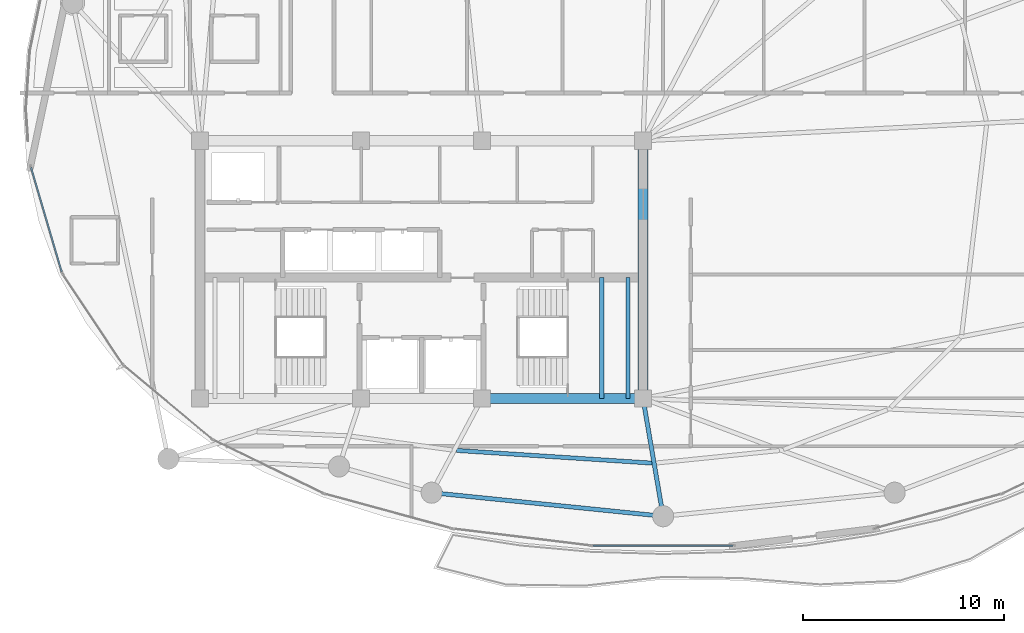
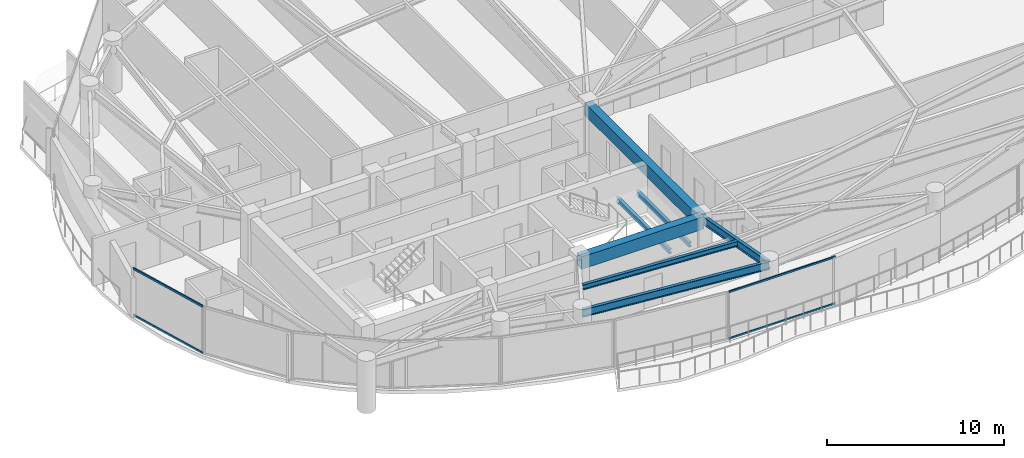
# One storey, part 6 of 29: 7 beams, 4 members, 2 elements without a shape of their own.
"""IFC4 building model written with IfcOpenShell, lengths in metres."""

from ifc_helpers import new_model, si_unit, direction, frame, origin, origin_2d, place, context, subcontext, project, spatial, rectangle, hollow_rectangle, i_section, extrude, material, layer, layer_set, material_profile, profile_set, type_object, element, aggregate, save


model = new_model("IFC4")

# Units and contexts
model_context = context("Model", 3, precision=1e-05, world=origin(), true_north=direction((0.0, 1.0)))
body_context = subcontext(model_context, "Body", "Model", "MODEL_VIEW")
ifc_project = project(units=[si_unit("LENGTHUNIT", "METRE"), si_unit("AREAUNIT", "SQUARE_METRE"), si_unit("VOLUMEUNIT", "CUBIC_METRE"), si_unit("PLANEANGLEUNIT", "RADIAN"), si_unit("MASSUNIT", "GRAM", prefix="KILO")], contexts=[model_context])

# Site, building, storey
site_placement = place(None, origin())
site = spatial("IfcSite", under=ifc_project, at=site_placement, CompositionType="ELEMENT")
building_placement = place(site_placement, origin())
building = spatial("IfcBuilding", under=site, at=building_placement, Name="Kazevale Care Tower and Concert Hall", CompositionType="ELEMENT")
storey_placement = place(building_placement, frame((0.0, 0.0, 249.60009765625)))
storey = spatial("IfcBuildingStorey", under=building, at=storey_placement, Name="L66", CompositionType="ELEMENT", Elevation=249.60009765625)

# Curtain wall, members
ifc_material_1 = material(Name="Aluminium 6063-T6 and Low-E Glass", Category="aluminium")
ifc_layer_1 = layer(ifc_material_1, 0.179931640625)
ifc_layer_set_1 = layer_set([ifc_layer_1], Name="Aluminium 6063-T6 and Low-E Glass")
curtain_wall_type_1 = type_object("IfcCurtainWallType", Name="Waist & Upper Residential Curtain Wall CW-4", PredefinedType="NOTDEFINED", material=ifc_layer_set_1)
curtain_wall_1_placement = place(storey_placement, origin())
curtain_wall_1 = element("IfcCurtainWall", 1, at=curtain_wall_1_placement, inside=storey, type_object=curtain_wall_type_1, Name="cw:L66:f12", PredefinedType="NOTDEFINED")
ifc_material_2 = material(Name="Aluminium 6063-T6", Category="aluminium")
ifc_material_profile_1 = material_profile(ifc_material_2, hollow_rectangle(XDim=0.080078125, YDim=0.139892578125, WallThickness=0.00390625, at=origin_2d()), Name="ALU80x140x4")
ifc_profile_set_1 = profile_set([ifc_material_profile_1], Name="Aluminium 6063-T6")
member_type_1 = type_object("IfcMemberType", Name="CW-4 Transom ALU80x140x4", PredefinedType="USERDEFINED", material=ifc_profile_set_1)
member_1_placement = place(storey_placement, frame((15.12548828125, 29.897705078125, 0.039794921875), z_axis=(-0.282102705943, 0.95938421047, 0.0), x_axis=(-0.95938421047, -0.282102705943, 0.0)))
member_1 = element("IfcMember", 2, at=member_1_placement, type_object=member_type_1, Name="CW-4 transom 1.1", ObjectType="TRANSOM", PredefinedType="USERDEFINED", context=body_context, shape_type="SweptSolid", body=[
    extrude(hollow_rectangle(XDim=0.080078125, YDim=0.139892578125, WallThickness=0.00390625, at=origin_2d()), origin(), (0.0, 0.0, 1.0), 5.402099609375),
])
member_2_placement = place(storey_placement, frame((15.12548828125, 29.897705078125, 3.239990234375), z_axis=(-0.282102705943, 0.95938421047, 0.0), x_axis=(-0.95938421047, -0.282102705943, 0.0)))
member_2 = element("IfcMember", 3, at=member_2_placement, type_object=member_type_1, Name="CW-4 transom 1.2", ObjectType="TRANSOM", PredefinedType="USERDEFINED", context=body_context, shape_type="SweptSolid", body=[
    extrude(hollow_rectangle(XDim=0.080078125, YDim=0.139892578125, WallThickness=0.00390625, at=origin_2d()), origin(), (0.0, 0.0, 1.0), 5.402099609375),
])
aggregate(curtain_wall_1, [member_1, member_2])

ifc_layer_2 = layer(ifc_material_1, 0.179931640625)
ifc_layer_set_2 = layer_set([ifc_layer_2], Name="Aluminium 6063-T6 and Low-E Glass")
curtain_wall_type_2 = type_object("IfcCurtainWallType", Name="Sheltered Concave Balcony Curtain Wall CW-5", PredefinedType="NOTDEFINED", material=ifc_layer_set_2)
curtain_wall_2_placement = place(storey_placement, origin())
curtain_wall_2 = element("IfcCurtainWall", 4, at=curtain_wall_2_placement, inside=storey, type_object=curtain_wall_type_2, Name="cw:L66:f06", PredefinedType="NOTDEFINED")
ifc_material_profile_2 = material_profile(ifc_material_2, hollow_rectangle(XDim=0.074951171875, YDim=0.1201171875, WallThickness=0.00390625, at=origin_2d()), Name="ALU75x120x4")
ifc_profile_set_2 = profile_set([ifc_material_profile_2], Name="Aluminium 6063-T6")
member_type_2 = type_object("IfcMemberType", Name="CW-5 Transom ALU75x120x4", PredefinedType="USERDEFINED", material=ifc_profile_set_2)
member_3_placement = place(storey_placement, frame((48.47509765625, 16.284912109375, 0.037353515625), z_axis=(-1.0, 0.0, 0.0), x_axis=(0.0, -1.0, 0.0)))
member_3 = element("IfcMember", 5, at=member_3_placement, type_object=member_type_2, Name="CW-5 transom 1.1", ObjectType="TRANSOM", PredefinedType="USERDEFINED", context=body_context, shape_type="SweptSolid", body=[
    extrude(hollow_rectangle(XDim=0.074951171875, YDim=0.1201171875, WallThickness=0.00390625, at=origin_2d()), origin(), (0.0, 0.0, 1.0), 6.9501953125),
])
member_4_placement = place(storey_placement, frame((48.47509765625, 16.284912109375, 3.242431640625), z_axis=(-1.0, 0.0, 0.0), x_axis=(0.0, -1.0, 0.0)))
member_4 = element("IfcMember", 6, at=member_4_placement, type_object=member_type_2, Name="CW-5 transom 1.2", ObjectType="TRANSOM", PredefinedType="USERDEFINED", context=body_context, shape_type="SweptSolid", body=[
    extrude(hollow_rectangle(XDim=0.074951171875, YDim=0.1201171875, WallThickness=0.00390625, at=origin_2d()), origin(), (0.0, 0.0, 1.0), 6.9501953125),
])
aggregate(curtain_wall_2, [member_3, member_4])

# Beams
ifc_material_3 = material(Name="Concrete C60", Category="concrete")
ifc_material_profile_3 = material_profile(ifc_material_3, rectangle(XDim=0.5, YDim=0.85009765625, at=origin_2d()), Name="RC-B500x850")
ifc_profile_set_3 = profile_set([ifc_material_profile_3], Name="Concrete C60")
beam_type_1 = type_object("IfcBeamType", Name="Core Coupling Beam RC500x850", PredefinedType="LINTEL", material=ifc_profile_set_3)
beam_1_placement = place(storey_placement, frame((36.0, 23.60009765625, 2.85498046875), z_axis=(1.0, 0.0, 0.0), x_axis=(0.0, 1.0, 0.0)))
element("IfcBeam", 7, at=beam_1_placement, inside=storey, type_object=beam_type_1, Name="beam:L66:coretie:3", PredefinedType="LINTEL", context=body_context, shape_type="SweptSolid", body=[
    extrude(rectangle(XDim=0.5, YDim=0.85009765625, at=origin_2d()), origin(), (0.0, 0.0, 1.0), 8.0),
])
beam_2_placement = place(storey_placement, frame((44.0, 23.60009765625, 2.85498046875), z_axis=(0.0, 1.0, 0.0), x_axis=(-1.0, 0.0, 0.0)))
element("IfcBeam", 8, at=beam_2_placement, inside=storey, type_object=beam_type_1, Name="beam:L66:coretie:4", PredefinedType="LINTEL", context=body_context, shape_type="SweptSolid", body=[
    extrude(rectangle(XDim=0.5, YDim=0.85009765625, at=origin_2d()), origin(), (0.0, 0.0, 1.0), 12.7998046875),
])
ifc_material_4 = material(Name="Steel ASTM A572 Gr 50", Category="steel")
ifc_material_profile_4 = material_profile(ifc_material_4, i_section(OverallWidth=0.2119140625, OverallDepth=0.5439453125, WebThickness=0.01318359375, FlangeThickness=0.021240234375, at=origin_2d()), Name="W530x123")
ifc_profile_set_4 = profile_set([ifc_material_profile_4], Name="Steel ASTM A572 Gr 50")
beam_type_2 = type_object("IfcBeamType", Name="Radial Floor Girder W530x123", PredefinedType="BEAM", material=ifc_profile_set_4)
beam_3_placement = place(storey_placement, frame((44.0, 23.60009765625, 3.0078125), z_axis=(0.168493389607, -0.985702783631, 0.0), x_axis=(0.985702783631, 0.168493389607, 0.0)))
element("IfcBeam", 9, at=beam_3_placement, inside=storey, type_object=beam_type_2, Name="beam:L66:rad:13", PredefinedType="BEAM", context=body_context, shape_type="SweptSolid", body=[
    extrude(i_section(OverallWidth=0.2119140625, OverallDepth=0.5439453125, WebThickness=0.01318359375, FlangeThickness=0.021240234375, at=origin_2d()), origin(), (0.0, 0.0, 1.0), 5.93505859375),
])
ifc_material_profile_5 = material_profile(ifc_material_4, i_section(OverallWidth=0.205078125, OverallDepth=0.35400390625, WebThickness=0.009521484375, FlangeThickness=0.016845703125, at=origin_2d()), Name="W360x79")
ifc_profile_set_5 = profile_set([ifc_material_profile_5], Name="Steel ASTM A572 Gr 50")
beam_type_3 = type_object("IfcBeamType", Name="Secondary Floor Joist W360x79", PredefinedType="JOIST", material=ifc_profile_set_5)
beam_4_placement = place(storey_placement, frame((34.72998046875, 21.01904296875, 3.102783203125), z_axis=(0.997903161374, -0.064724651559, 0.0), x_axis=(0.064724651559, 0.997903161374, 0.0)))
element("IfcBeam", 10, at=beam_4_placement, inside=storey, type_object=beam_type_3, Name="beam:L66:joist:12", PredefinedType="JOIST", context=body_context, shape_type="SweptSolid", body=[
    extrude(i_section(OverallWidth=0.205078125, OverallDepth=0.35400390625, WebThickness=0.009521484375, FlangeThickness=0.016845703125, at=origin_2d()), origin(), (0.0, 0.0, 1.0), 9.735595703125),
])
ifc_material_profile_6 = material_profile(ifc_material_4, i_section(OverallWidth=0.202880859375, OverallDepth=0.302978515625, WebThickness=0.007568359375, FlangeThickness=0.01318359375, at=origin_2d()), Name="W310x60")
ifc_profile_set_6 = profile_set([ifc_material_profile_6], Name="Steel ASTM A572 Gr 50")
beam_type_4 = type_object("IfcBeamType", Name="Stair & Balcony Trimmer W310x60", PredefinedType="BEAM", material=ifc_profile_set_6)
for number, where, z_axis, x_axis, name in (
    (11, (41.949951171875, 23.60009765625, 1.448486328125), (0.0, 1.0, 0.0), (-1.0, 0.0, 0.0), "beam:L66:sttrim:ST2"),
    (12, (43.25, 23.60009765625, 1.448486328125), (0.0, 1.0, 0.0), (-1.0, 0.0, 0.0), "beam:L66:sttrim:ST2b"),
):
    element("IfcBeam", number, at=place(storey_placement, frame(where, z_axis=z_axis, x_axis=x_axis)), inside=storey, type_object=beam_type_4, Name=name, PredefinedType="BEAM", context=body_context, shape_type="SweptSolid", body=[
        extrude(i_section(OverallWidth=0.202880859375, OverallDepth=0.302978515625, WebThickness=0.007568359375, FlangeThickness=0.01318359375, at=origin_2d()), origin(), (0.0, 0.0, 1.0), 6.0),
    ])
ifc_material_profile_7 = material_profile(ifc_material_4, i_section(OverallWidth=0.208984375, OverallDepth=0.532958984375, WebThickness=0.01025390625, FlangeThickness=0.015625, at=origin_2d()), Name="W530x92")
ifc_profile_set_7 = profile_set([ifc_material_profile_7], Name="Steel ASTM A572 Gr 50")
beam_type_5 = type_object("IfcBeamType", Name="Upper Ring Beam W530x92", PredefinedType="BEAM", material=ifc_profile_set_7)
beam_5_placement = place(storey_placement, frame((33.5, 18.919921875, 3.013427734375), z_axis=(0.994865089307, -0.101209950492, 0.0), x_axis=(0.101209950492, 0.994865089307, 0.0)))
element("IfcBeam", 13, at=beam_5_placement, inside=storey, type_object=beam_type_5, Name="beam:L66:ring:12", PredefinedType="BEAM", context=body_context, shape_type="SweptSolid", body=[
    extrude(i_section(OverallWidth=0.208984375, OverallDepth=0.532958984375, WebThickness=0.01025390625, FlangeThickness=0.015625, at=origin_2d()), origin(), (0.0, 0.0, 1.0), 11.559326171875),
])

save(model, "model.ifc")
